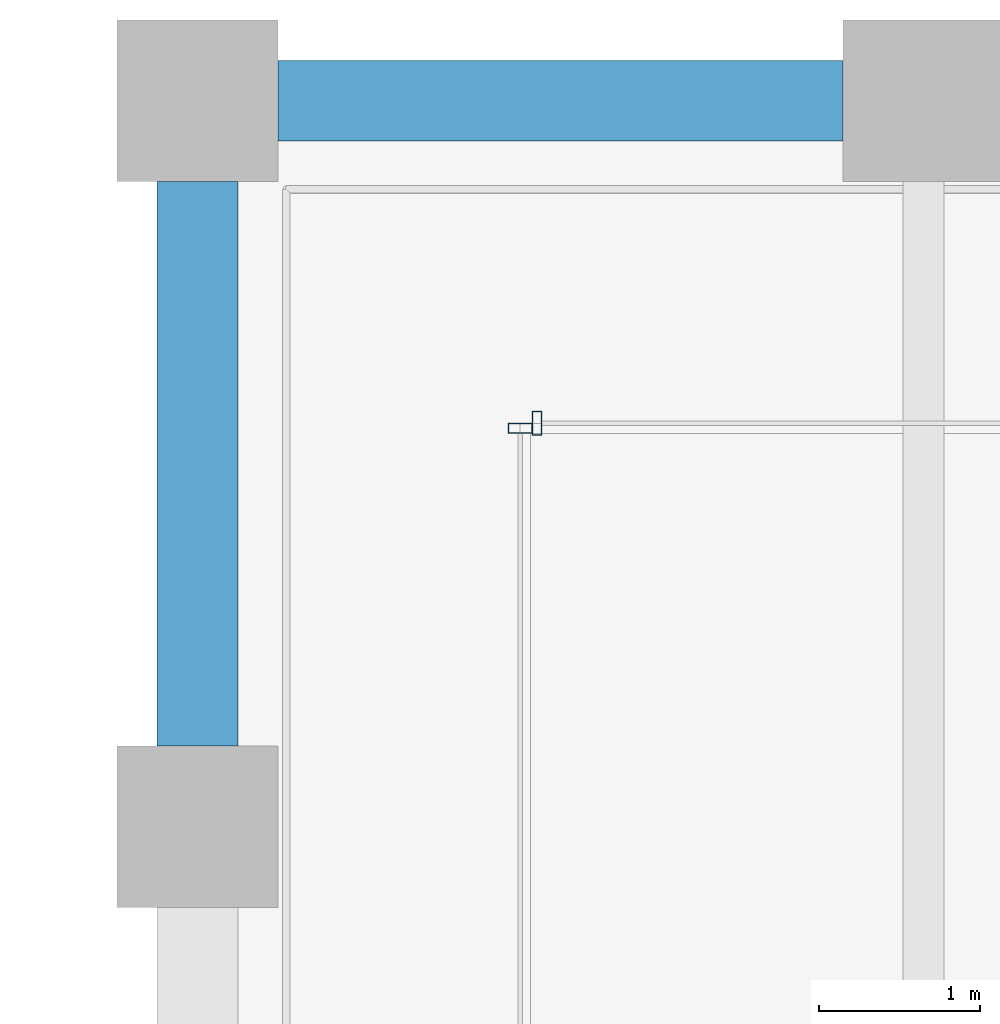
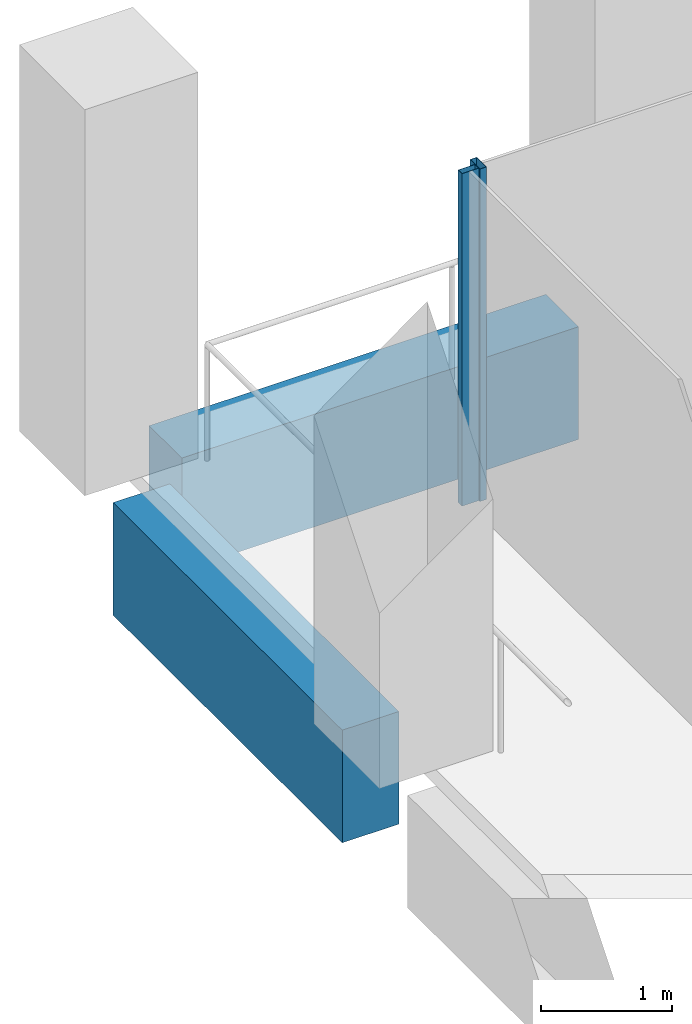
# One storey, part 21 of 47: 2 beams, 2 members, 2 elements without a shape of their own.
"""IFC4 building model written with IfcOpenShell, lengths in metres."""

from ifc_helpers import new_model, si_unit, direction, frame, origin, origin_2d, place, context, subcontext, project, spatial, rectangle, hollow_rectangle, extrude, material, material_profile, profile_set, type_object, element, aggregate, save


model = new_model("IFC4")

# Units and contexts
model_context = context("Model", 3, precision=1e-05, world=origin(), true_north=direction((0.0, 1.0)))
body_context = subcontext(model_context, "Body", "Model", "MODEL_VIEW")
ifc_project = project(units=[si_unit("LENGTHUNIT", "METRE"), si_unit("AREAUNIT", "SQUARE_METRE"), si_unit("VOLUMEUNIT", "CUBIC_METRE"), si_unit("PLANEANGLEUNIT", "RADIAN"), si_unit("MASSUNIT", "GRAM", prefix="KILO")], contexts=[model_context])

# Site, building, storey
site_placement = place(None, origin())
site = spatial("IfcSite", under=ifc_project, at=site_placement, CompositionType="ELEMENT")
building_placement = place(site_placement, origin())
building = spatial("IfcBuilding", under=site, at=building_placement, Name="Altepetl Exchange Towers", CompositionType="ELEMENT")
storey_placement = place(building_placement, frame((0.0, 0.0, 95.60009765625)))
storey = spatial("IfcBuildingStorey", under=building, at=storey_placement, Name="L23", CompositionType="ELEMENT", Elevation=95.60009765625)

# Curtain wall, member
ifc_material_1 = material(Name="Aluminium 6063-T6 glazing", Category="aluminium")
curtain_wall_type = type_object("IfcCurtainWallType", Name="Loggia glazing system", PredefinedType="NOTDEFINED", material=ifc_material_1)
curtain_wall_1_placement = place(storey_placement, origin())
curtain_wall_1 = element("IfcCurtainWall", 1, at=curtain_wall_1_placement, inside=storey, type_object=curtain_wall_type, Name="CW1 run", PredefinedType="NOTDEFINED")
ifc_material_2 = material(Name="Aluminium 6063-T6", Category="aluminium")
ifc_material_profile_1 = material_profile(ifc_material_2, hollow_rectangle(XDim=0.06005859375, YDim=0.14990234375, WallThickness=0.0029296875, at=origin_2d()), Name="Mullion 60x150 aluminium")
ifc_profile_set_1 = profile_set([ifc_material_profile_1], Name="Aluminium 6063-T6")
member_type = type_object("IfcMemberType", Name="Mullion 60x150 aluminium", PredefinedType="MULLION", material=ifc_profile_set_1)
member_1_placement = place(storey_placement, frame((42.60498046875, 70.0, 0.0), z_axis=(0.0, 0.0, 1.0), x_axis=(-1.0, 0.0, 0.0)))
member_1 = element("IfcMember", 2, at=member_1_placement, type_object=member_type, Name="MU1 mullion", PredefinedType="MULLION", context=body_context, shape_type="SweptSolid", body=[
    extrude(hollow_rectangle(XDim=0.06005859375, YDim=0.14990234375, WallThickness=0.0029296875, at=origin_2d()), origin(), (0.0, 0.0, 1.0), 3.099853515625),
])
aggregate(curtain_wall_1, [member_1])

curtain_wall_2_placement = place(storey_placement, origin())
curtain_wall_2 = element("IfcCurtainWall", 3, at=curtain_wall_2_placement, inside=storey, type_object=curtain_wall_type, Name="CW1 run", PredefinedType="NOTDEFINED")
member_2_placement = place(storey_placement, frame((42.5, 69.969970703125, 0.0), z_axis=(0.0, 0.0, 1.0), x_axis=(0.0, -1.0, 0.0)))
member_2 = element("IfcMember", 4, at=member_2_placement, type_object=member_type, Name="MU1 mullion", PredefinedType="MULLION", context=body_context, shape_type="SweptSolid", body=[
    extrude(hollow_rectangle(XDim=0.06005859375, YDim=0.14990234375, WallThickness=0.0029296875, at=origin_2d()), origin(), (0.0, 0.0, 1.0), 3.099853515625),
])
aggregate(curtain_wall_2, [member_2])

# Beams
ifc_material_3 = material(Name="Concrete C50/60 precast with cantera rosa facing", Category="concrete")
ifc_material_profile_2 = material_profile(ifc_material_3, rectangle(XDim=0.5, YDim=1.050048828125, at=origin_2d()), Name="500 x 1050")
ifc_profile_set_2 = profile_set([ifc_material_profile_2], Name="Concrete C50/60 precast with cantera rosa facing")
beam_type_1 = type_object("IfcBeamType", Name="Spandrel beam 500x1050 cantera rosa", PredefinedType="SPANDREL", material=ifc_profile_set_2)
beam_1_placement = place(storey_placement, frame((44.5, 72.0, -0.675048828125), z_axis=(-1.0, 0.0, 0.0), x_axis=(0.0, -1.0, 0.0)))
element("IfcBeam", 5, at=beam_1_placement, inside=storey, type_object=beam_type_1, Name="sp:A:L23:029", PredefinedType="SPANDREL", context=body_context, shape_type="SweptSolid", body=[
    extrude(rectangle(XDim=0.5, YDim=1.050048828125, at=origin_2d()), origin(), (0.0, 0.0, 1.0), 3.5),
])
ifc_material_4 = material(Name="Concrete C50/60 precast with tezontle facing", Category="concrete")
ifc_material_profile_3 = material_profile(ifc_material_4, rectangle(XDim=0.5, YDim=1.050048828125, at=origin_2d()), Name="500 x 1050")
ifc_profile_set_3 = profile_set([ifc_material_profile_3], Name="Concrete C50/60 precast with tezontle facing")
beam_type_2 = type_object("IfcBeamType", Name="Spandrel beam 500x1050 tezontle", PredefinedType="SPANDREL", material=ifc_profile_set_3)
beam_2_placement = place(storey_placement, frame((40.5, 71.5, -0.675048828125), z_axis=(0.0, -1.0, 0.0), x_axis=(1.0, 0.0, 0.0)))
element("IfcBeam", 6, at=beam_2_placement, inside=storey, type_object=beam_type_2, Name="sp:A:L23:030", PredefinedType="SPANDREL", context=body_context, shape_type="SweptSolid", body=[
    extrude(rectangle(XDim=0.5, YDim=1.050048828125, at=origin_2d()), origin(), (0.0, 0.0, 1.0), 3.5),
])

save(model, "model.ifc")
